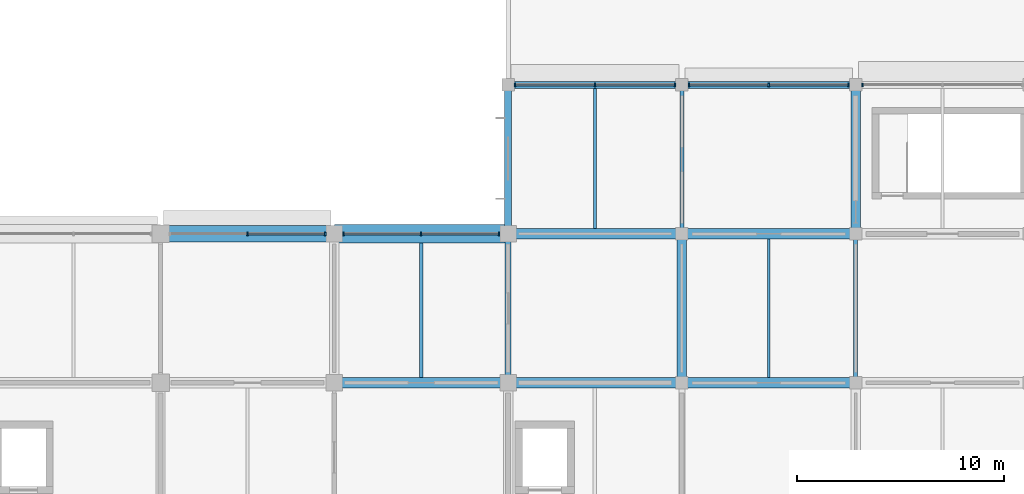
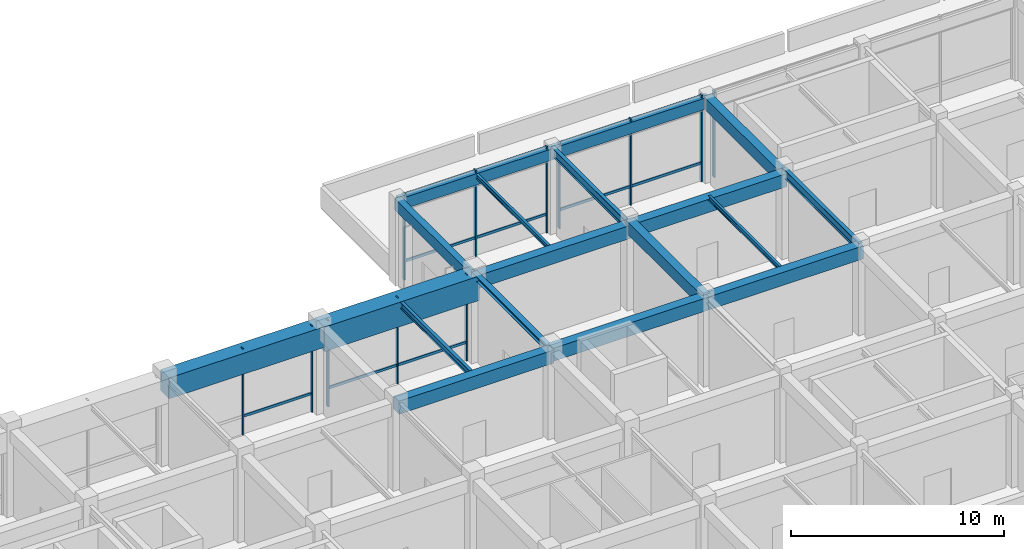
# One storey, part 18 of 38: 19 members, 18 beams, 5 elements without a shape of their own.
"""IFC4 building model written with IfcOpenShell, lengths in metres."""

from ifc_helpers import new_model, si_unit, derived_unit, direction, frame, origin, origin_2d, place, context, subcontext, project, spatial, rectangle, i_section, extrude, material, material_profile, profile_set, type_object, element, aggregate, save


model = new_model("IFC4")

# Units and contexts
model_context = context("Model", 3, precision=1e-05, world=origin(), true_north=direction((0.0, 1.0)))
body_context = subcontext(model_context, "Body", "Model", "MODEL_VIEW")
ifc_project = project(units=[si_unit("LENGTHUNIT", "METRE"), si_unit("AREAUNIT", "SQUARE_METRE"), si_unit("VOLUMEUNIT", "CUBIC_METRE"), si_unit("PLANEANGLEUNIT", "RADIAN"), si_unit("MASSUNIT", "GRAM", prefix="KILO"), derived_unit("THERMALTRANSMITTANCEUNIT", [(si_unit("MASSUNIT", "GRAM", prefix="KILO"), 1), (si_unit("TIMEUNIT", "SECOND"), -3), (si_unit("THERMODYNAMICTEMPERATUREUNIT", "KELVIN"), -1)])], contexts=[model_context])

# Site, building, storey
site_placement = place(None, origin())
site = spatial("IfcSite", under=ifc_project, at=site_placement, CompositionType="ELEMENT")
building_placement = place(site_placement, origin())
building = spatial("IfcBuilding", under=site, at=building_placement, Name="Veldstrom Oceanarium and Marine Research Institute", CompositionType="ELEMENT")
storey_placement = place(building_placement, frame((0.0, 0.0, 16.800048828125)))
storey = spatial("IfcBuildingStorey", under=building, at=storey_placement, Name="L03", CompositionType="ELEMENT", Elevation=16.800048828125)

# Curtain wall, members
ifc_material_1 = material(Name="Anodised Aluminium Framing", Category="aluminium")
curtain_wall_type = type_object("IfcCurtainWallType", Name="ARC-CW-CW02", PredefinedType="USERDEFINED", material=ifc_material_1)
curtain_wall_1_placement = place(storey_placement, origin())
curtain_wall_1 = element("IfcCurtainWall", 1, at=curtain_wall_1_placement, inside=storey, type_object=curtain_wall_type, Name="Curtain Wall CW02 CW-L03-069", ObjectType="Curtain wall", PredefinedType="USERDEFINED")
ifc_material_2 = material(Name="Anodised Aluminium Framing", Category="aluminium")
ifc_material_profile_1 = material_profile(ifc_material_2, rectangle(XDim=0.074951171875, YDim=0.179931640625, at=origin_2d()), Name="ALU-MUL-75x180")
ifc_profile_set_1 = profile_set([ifc_material_profile_1], Name="Anodised Aluminium Framing")
member_type_1 = type_object("IfcMemberType", Name="ARC-MUL-ML1", PredefinedType="MULLION", material=ifc_profile_set_1)
member_1_placement = place(storey_placement, frame((105.012451171875, 72.0, 0.0), z_axis=(0.0, 0.0, 1.0), x_axis=(1.0, 0.0, 0.0)))
member_1 = element("IfcMember", 2, at=member_1_placement, type_object=member_type_1, Name="Curtain Wall Mullion CW-L03-069-MUL-2", PredefinedType="MULLION", context=body_context, shape_type="SweptSolid", body=[
    extrude(rectangle(XDim=0.074951171875, YDim=0.179931640625, at=origin_2d()), origin(), (0.0, 0.0, 1.0), 4.949951171875),
])
member_2_placement = place(storey_placement, frame((108.760009765625, 72.0, 0.0), z_axis=(0.0, 0.0, 1.0), x_axis=(1.0, 0.0, 0.0)))
member_2 = element("IfcMember", 3, at=member_2_placement, type_object=member_type_1, Name="Curtain Wall Mullion CW-L03-069-MUL-3", PredefinedType="MULLION", context=body_context, shape_type="SweptSolid", body=[
    extrude(rectangle(XDim=0.074951171875, YDim=0.179931640625, at=origin_2d()), origin(), (0.0, 0.0, 1.0), 4.949951171875),
])

curtain_wall_2_placement = place(storey_placement, origin())
curtain_wall_2 = element("IfcCurtainWall", 4, at=curtain_wall_2_placement, inside=storey, type_object=curtain_wall_type, Name="Curtain Wall CW02 CW-L03-071", ObjectType="Curtain wall", PredefinedType="USERDEFINED")
member_3_placement = place(storey_placement, frame((109.639892578125, 72.0, 0.0), z_axis=(0.0, 0.0, 1.0), x_axis=(1.0, 0.0, 0.0)))
member_3 = element("IfcMember", 5, at=member_3_placement, type_object=member_type_1, Name="Curtain Wall Mullion CW-L03-071-MUL-1", PredefinedType="MULLION", context=body_context, shape_type="SweptSolid", body=[
    extrude(rectangle(XDim=0.074951171875, YDim=0.179931640625, at=origin_2d()), origin(), (0.0, 0.0, 1.0), 4.949951171875),
])
member_4_placement = place(storey_placement, frame((113.39990234375, 72.0, 0.0), z_axis=(0.0, 0.0, 1.0), x_axis=(1.0, 0.0, 0.0)))
member_4 = element("IfcMember", 6, at=member_4_placement, type_object=member_type_1, Name="Curtain Wall Mullion CW-L03-071-MUL-2", PredefinedType="MULLION", context=body_context, shape_type="SweptSolid", body=[
    extrude(rectangle(XDim=0.074951171875, YDim=0.179931640625, at=origin_2d()), origin(), (0.0, 0.0, 1.0), 4.949951171875),
])
member_5_placement = place(storey_placement, frame((117.159912109375, 72.0, 0.0), z_axis=(0.0, 0.0, 1.0), x_axis=(1.0, 0.0, 0.0)))
member_5 = element("IfcMember", 7, at=member_5_placement, type_object=member_type_1, Name="Curtain Wall Mullion CW-L03-071-MUL-3", PredefinedType="MULLION", context=body_context, shape_type="SweptSolid", body=[
    extrude(rectangle(XDim=0.074951171875, YDim=0.179931640625, at=origin_2d()), origin(), (0.0, 0.0, 1.0), 4.949951171875),
])

curtain_wall_3_placement = place(storey_placement, origin())
curtain_wall_3 = element("IfcCurtainWall", 8, at=curtain_wall_3_placement, inside=storey, type_object=curtain_wall_type, Name="Curtain Wall CW02 CW-L03-072", ObjectType="Curtain wall", PredefinedType="USERDEFINED")
member_6_placement = place(storey_placement, frame((117.93994140625, 79.199951171875, 0.0), z_axis=(0.0, 0.0, 1.0), x_axis=(1.0, 0.0, 0.0)))
member_6 = element("IfcMember", 9, at=member_6_placement, type_object=member_type_1, Name="Curtain Wall Mullion CW-L03-072-MUL-1", PredefinedType="MULLION", context=body_context, shape_type="SweptSolid", body=[
    extrude(rectangle(XDim=0.074951171875, YDim=0.179931640625, at=origin_2d()), origin(), (0.0, 0.0, 1.0), 4.949951171875),
])
member_7_placement = place(storey_placement, frame((121.800048828125, 79.199951171875, 0.0), z_axis=(0.0, 0.0, 1.0), x_axis=(1.0, 0.0, 0.0)))
member_7 = element("IfcMember", 10, at=member_7_placement, type_object=member_type_1, Name="Curtain Wall Mullion CW-L03-072-MUL-2", PredefinedType="MULLION", context=body_context, shape_type="SweptSolid", body=[
    extrude(rectangle(XDim=0.074951171875, YDim=0.179931640625, at=origin_2d()), origin(), (0.0, 0.0, 1.0), 4.949951171875),
])
member_8_placement = place(storey_placement, frame((125.659912109375, 79.199951171875, 0.0), z_axis=(0.0, 0.0, 1.0), x_axis=(1.0, 0.0, 0.0)))
member_8 = element("IfcMember", 11, at=member_8_placement, type_object=member_type_1, Name="Curtain Wall Mullion CW-L03-072-MUL-3", PredefinedType="MULLION", context=body_context, shape_type="SweptSolid", body=[
    extrude(rectangle(XDim=0.074951171875, YDim=0.179931640625, at=origin_2d()), origin(), (0.0, 0.0, 1.0), 4.949951171875),
])

curtain_wall_4_placement = place(storey_placement, origin())
curtain_wall_4 = element("IfcCurtainWall", 12, at=curtain_wall_4_placement, inside=storey, type_object=curtain_wall_type, Name="Curtain Wall CW02 CW-L03-073", ObjectType="Curtain wall", PredefinedType="USERDEFINED")
member_9_placement = place(storey_placement, frame((126.340087890625, 79.199951171875, 0.0), z_axis=(0.0, 0.0, 1.0), x_axis=(1.0, 0.0, 0.0)))
member_9 = element("IfcMember", 13, at=member_9_placement, type_object=member_type_1, Name="Curtain Wall Mullion CW-L03-073-MUL-1", PredefinedType="MULLION", context=body_context, shape_type="SweptSolid", body=[
    extrude(rectangle(XDim=0.074951171875, YDim=0.179931640625, at=origin_2d()), origin(), (0.0, 0.0, 1.0), 4.949951171875),
])
member_10_placement = place(storey_placement, frame((130.199951171875, 79.199951171875, 0.0), z_axis=(0.0, 0.0, 1.0), x_axis=(1.0, 0.0, 0.0)))
member_10 = element("IfcMember", 14, at=member_10_placement, type_object=member_type_1, Name="Curtain Wall Mullion CW-L03-073-MUL-2", PredefinedType="MULLION", context=body_context, shape_type="SweptSolid", body=[
    extrude(rectangle(XDim=0.074951171875, YDim=0.179931640625, at=origin_2d()), origin(), (0.0, 0.0, 1.0), 4.949951171875),
])
member_11_placement = place(storey_placement, frame((134.06005859375, 79.199951171875, 0.0), z_axis=(0.0, 0.0, 1.0), x_axis=(1.0, 0.0, 0.0)))
member_11 = element("IfcMember", 15, at=member_11_placement, type_object=member_type_1, Name="Curtain Wall Mullion CW-L03-073-MUL-3", PredefinedType="MULLION", context=body_context, shape_type="SweptSolid", body=[
    extrude(rectangle(XDim=0.074951171875, YDim=0.179931640625, at=origin_2d()), origin(), (0.0, 0.0, 1.0), 4.949951171875),
])

# Curtain wall, member
curtain_wall_5_placement = place(storey_placement, origin())
curtain_wall_5 = element("IfcCurtainWall", 16, at=curtain_wall_5_placement, inside=storey, type_object=curtain_wall_type, Name="Curtain Wall CW02 CW-L03-074", ObjectType="Curtain wall", PredefinedType="USERDEFINED")
member_12_placement = place(storey_placement, frame((134.739990234375, 79.199951171875, 0.0), z_axis=(0.0, 0.0, 1.0), x_axis=(1.0, 0.0, 0.0)))
member_12 = element("IfcMember", 17, at=member_12_placement, type_object=member_type_1, Name="Curtain Wall Mullion CW-L03-074-MUL-1", PredefinedType="MULLION", context=body_context, shape_type="SweptSolid", body=[
    extrude(rectangle(XDim=0.074951171875, YDim=0.179931640625, at=origin_2d()), origin(), (0.0, 0.0, 1.0), 4.949951171875),
])
aggregate(curtain_wall_5, [member_12])

# Member
ifc_material_3 = material(Name="Anodised Aluminium Framing", Category="aluminium")
ifc_material_profile_2 = material_profile(ifc_material_3, rectangle(XDim=0.074951171875, YDim=0.14990234375, at=origin_2d()), Name="ALU-TRN-75x150")
ifc_profile_set_2 = profile_set([ifc_material_profile_2], Name="Anodised Aluminium Framing")
member_type_2 = type_object("IfcMemberType", Name="ARC-TRN-TR1", PredefinedType="USERDEFINED", material=ifc_profile_set_2)
member_13_placement = place(storey_placement, frame((105.052490234375, 72.0, 1.050048828125), z_axis=(1.0, 0.0, 0.0), x_axis=(0.0, 1.0, 0.0)))
member_13 = element("IfcMember", 18, at=member_13_placement, type_object=member_type_2, Name="Curtain Wall Transom CW-L03-069-TRN-2", ObjectType="Transom", PredefinedType="USERDEFINED", context=body_context, shape_type="SweptSolid", body=[
    extrude(rectangle(XDim=0.074951171875, YDim=0.14990234375, at=origin_2d()), origin(), (0.0, 0.0, 1.0), 3.66748046875),
])

aggregate(curtain_wall_1, [member_1, member_2, member_13])

member_14_placement = place(storey_placement, frame((109.679931640625, 72.0, 1.050048828125), z_axis=(1.0, 0.0, 0.0), x_axis=(0.0, 1.0, 0.0)))
member_14 = element("IfcMember", 19, at=member_14_placement, type_object=member_type_2, Name="Curtain Wall Transom CW-L03-071-TRN-1", ObjectType="Transom", PredefinedType="USERDEFINED", context=body_context, shape_type="SweptSolid", body=[
    extrude(rectangle(XDim=0.074951171875, YDim=0.14990234375, at=origin_2d()), origin(), (0.0, 0.0, 1.0), 3.68017578125),
])

member_15_placement = place(storey_placement, frame((113.43994140625, 72.0, 1.050048828125), z_axis=(1.0, 0.0, 0.0), x_axis=(0.0, 1.0, 0.0)))
member_15 = element("IfcMember", 20, at=member_15_placement, type_object=member_type_2, Name="Curtain Wall Transom CW-L03-071-TRN-2", ObjectType="Transom", PredefinedType="USERDEFINED", context=body_context, shape_type="SweptSolid", body=[
    extrude(rectangle(XDim=0.074951171875, YDim=0.14990234375, at=origin_2d()), origin(), (0.0, 0.0, 1.0), 3.68017578125),
])

aggregate(curtain_wall_2, [member_3, member_4, member_5, member_14, member_15])

member_16_placement = place(storey_placement, frame((117.97998046875, 79.199951171875, 1.050048828125), z_axis=(1.0, 0.0, 0.0), x_axis=(0.0, 1.0, 0.0)))
member_16 = element("IfcMember", 21, at=member_16_placement, type_object=member_type_2, Name="Curtain Wall Transom CW-L03-072-TRN-1", ObjectType="Transom", PredefinedType="USERDEFINED", context=body_context, shape_type="SweptSolid", body=[
    extrude(rectangle(XDim=0.074951171875, YDim=0.14990234375, at=origin_2d()), origin(), (0.0, 0.0, 1.0), 3.780029296875),
])

member_17_placement = place(storey_placement, frame((121.840087890625, 79.199951171875, 1.050048828125), z_axis=(1.0, 0.0, 0.0), x_axis=(0.0, 1.0, 0.0)))
member_17 = element("IfcMember", 22, at=member_17_placement, type_object=member_type_2, Name="Curtain Wall Transom CW-L03-072-TRN-2", ObjectType="Transom", PredefinedType="USERDEFINED", context=body_context, shape_type="SweptSolid", body=[
    extrude(rectangle(XDim=0.074951171875, YDim=0.14990234375, at=origin_2d()), origin(), (0.0, 0.0, 1.0), 3.780029296875),
])

aggregate(curtain_wall_3, [member_6, member_7, member_8, member_16, member_17])

member_18_placement = place(storey_placement, frame((126.3798828125, 79.199951171875, 1.050048828125), z_axis=(1.0, 0.0, 0.0), x_axis=(0.0, 1.0, 0.0)))
member_18 = element("IfcMember", 23, at=member_18_placement, type_object=member_type_2, Name="Curtain Wall Transom CW-L03-073-TRN-1", ObjectType="Transom", PredefinedType="USERDEFINED", context=body_context, shape_type="SweptSolid", body=[
    extrude(rectangle(XDim=0.074951171875, YDim=0.14990234375, at=origin_2d()), origin(), (0.0, 0.0, 1.0), 3.780029296875),
])

member_19_placement = place(storey_placement, frame((130.239990234375, 79.199951171875, 1.050048828125), z_axis=(1.0, 0.0, 0.0), x_axis=(0.0, 1.0, 0.0)))
member_19 = element("IfcMember", 24, at=member_19_placement, type_object=member_type_2, Name="Curtain Wall Transom CW-L03-073-TRN-2", ObjectType="Transom", PredefinedType="USERDEFINED", context=body_context, shape_type="SweptSolid", body=[
    extrude(rectangle(XDim=0.074951171875, YDim=0.14990234375, at=origin_2d()), origin(), (0.0, 0.0, 1.0), 3.780029296875),
])

aggregate(curtain_wall_4, [member_9, member_10, member_11, member_18, member_19])

# Beams
ifc_material_4 = material(Name="Concrete C40/50", Category="concrete")
ifc_material_profile_3 = material_profile(ifc_material_4, rectangle(XDim=0.5, YDim=0.75, at=origin_2d()), Name="RC-BM-500x750")
ifc_profile_set_3 = profile_set([ifc_material_profile_3], Name="Concrete C40/50")
beam_type_1 = type_object("IfcBeamType", Name="STR-BM-B03", PredefinedType="BEAM", material=ifc_profile_set_3)
beam_1_placement = place(storey_placement, frame((109.199951171875, 64.800048828125, 4.570068359375), z_axis=(1.0, 0.0, 0.0), x_axis=(0.0, 1.0, 0.0)))
element("IfcBeam", 25, at=beam_1_placement, inside=storey, type_object=beam_type_1, Name="Primary Beam B03 L03-1922", PredefinedType="BEAM", context=body_context, shape_type="SweptSolid", body=[
    extrude(rectangle(XDim=0.5, YDim=0.75, at=origin_2d()), origin(), (0.0, 0.0, 1.0), 8.400146484375),
])
for number, where, z_axis, x_axis, name in (
    (26, (117.60009765625, 64.800048828125, 4.669921875), (1.0, 0.0, 0.0), (0.0, 1.0, 0.0), "Primary Beam B03 L03-1927"),
    (27, (117.60009765625, 72.0, 4.445068359375), (1.0, 0.0, 0.0), (0.0, 1.0, 0.0), "Primary Beam B03 L03-1928"),
    (28, (126.0, 64.800048828125, 4.669921875), (1.0, 0.0, 0.0), (0.0, 1.0, 0.0), "Primary Beam B03 L03-1933"),
    (29, (126.0, 72.0, 4.445068359375), (1.0, 0.0, 0.0), (0.0, 1.0, 0.0), "Primary Beam B03 L03-1934"),
):
    element("IfcBeam", number, at=place(storey_placement, frame(where, z_axis=z_axis, x_axis=x_axis)), inside=storey, type_object=beam_type_1, Name=name, PredefinedType="BEAM", context=body_context, shape_type="SweptSolid", body=[
        extrude(rectangle(XDim=0.5, YDim=0.75, at=origin_2d()), origin(), (0.0, 0.0, 1.0), 8.39990234375),
    ])
ifc_material_5 = material(Name="Concrete C40/50", Category="concrete")
ifc_material_profile_4 = material_profile(ifc_material_5, rectangle(XDim=0.449951171875, YDim=0.699951171875, at=origin_2d()), Name="RC-BM-450x700")
ifc_profile_set_4 = profile_set([ifc_material_profile_4], Name="Concrete C40/50")
beam_type_2 = type_object("IfcBeamType", Name="STR-BM-B04", PredefinedType="BEAM", material=ifc_profile_set_4)
for number, where, z_axis, x_axis, name in (
    (30, (126.0, 64.800048828125, 4.695068359375), (0.0, 1.0, 0.0), (-1.0, 0.0, 0.0), "Primary Beam B04 L03-2036"),
    (31, (134.39990234375, 72.0, 4.469970703125), (0.0, 1.0, 0.0), (-1.0, 0.0, 0.0), "Primary Beam B04 L03-2042"),
):
    element("IfcBeam", number, at=place(storey_placement, frame(where, z_axis=z_axis, x_axis=x_axis)), inside=storey, type_object=beam_type_2, Name=name, PredefinedType="BEAM", context=body_context, shape_type="SweptSolid", body=[
        extrude(rectangle(XDim=0.449951171875, YDim=0.699951171875, at=origin_2d()), origin(), (0.0, 0.0, 1.0), 7.199951171875),
    ])
ifc_material_6 = material(Name="Steel S355JR", Category="steel")
ifc_material_profile_5 = material_profile(ifc_material_6, i_section(OverallWidth=0.300048828125, OverallDepth=0.2900390625, WebThickness=0.008544921875, FlangeThickness=0.013916015625, FilletRadius=0.027099609375, at=origin_2d()), Name="HEA 300")
ifc_profile_set_5 = profile_set([ifc_material_profile_5], Name="Steel S355JR")
beam_type_3 = type_object("IfcBeamType", Name="STR-BM-SB10", PredefinedType="BEAM", material=ifc_profile_set_5)
beam_2_placement = place(storey_placement, frame((117.60009765625, 64.800048828125, 4.800048828125), z_axis=(0.0, 1.0, 0.0), x_axis=(-1.0, 0.0, 0.0)))
element("IfcBeam", 32, at=beam_2_placement, inside=storey, type_object=beam_type_3, Name="Steel Tie Beam SB10 L03-2031", PredefinedType="BEAM", context=body_context, shape_type="SweptSolid", body=[
    extrude(i_section(OverallWidth=0.300048828125, OverallDepth=0.2900390625, WebThickness=0.008544921875, FlangeThickness=0.013916015625, FilletRadius=0.027099609375, at=origin_2d()), origin(), (0.0, 0.0, 1.0), 7.199951171875),
])
ifc_material_7 = material(Name="Steel S355JR", Category="steel")
ifc_material_profile_6 = material_profile(ifc_material_7, i_section(OverallWidth=0.199951171875, OverallDepth=0.5, WebThickness=0.01025390625, FlangeThickness=0.01611328125, FilletRadius=0.02099609375, at=origin_2d()), Name="IPE 500")
ifc_profile_set_6 = profile_set([ifc_material_profile_6], Name="Steel S355JR")
beam_type_4 = type_object("IfcBeamType", Name="STR-BM-SB6", PredefinedType="BEAM", material=ifc_profile_set_6)
for number, where, z_axis, x_axis, name in (
    (33, (126.0, 72.0, 4.570068359375), (0.0, 1.0, 0.0), (-1.0, 0.0, 0.0), "Steel Tie Beam SB6 L03-2037"),
    (34, (134.39990234375, 64.800048828125, 4.794921875), (0.0, 1.0, 0.0), (-1.0, 0.0, 0.0), "Steel Tie Beam SB6 L03-2041"),
):
    element("IfcBeam", number, at=place(storey_placement, frame(where, z_axis=z_axis, x_axis=x_axis)), inside=storey, type_object=beam_type_4, Name=name, PredefinedType="BEAM", context=body_context, shape_type="SweptSolid", body=[
        extrude(i_section(OverallWidth=0.199951171875, OverallDepth=0.5, WebThickness=0.01025390625, FlangeThickness=0.01611328125, FilletRadius=0.02099609375, at=origin_2d()), origin(), (0.0, 0.0, 1.0), 7.199951171875),
    ])
ifc_material_8 = material(Name="Steel S355JR", Category="steel")
ifc_material_profile_7 = material_profile(ifc_material_8, i_section(OverallWidth=0.169921875, OverallDepth=0.360107421875, WebThickness=0.008056640625, FlangeThickness=0.0126953125, FilletRadius=0.01806640625, at=origin_2d()), Name="IPE 360")
ifc_profile_set_7 = profile_set([ifc_material_profile_7], Name="Steel S355JR")
beam_type_5 = type_object("IfcBeamType", Name="STR-JST-SJ1", PredefinedType="JOIST", material=ifc_profile_set_7)
beam_3_placement = place(storey_placement, frame((113.39990234375, 65.050048828125, 4.764892578125), z_axis=(0.0, 1.0, 0.0), x_axis=(-1.0, 0.0, 0.0)))
element("IfcBeam", 35, at=beam_3_placement, inside=storey, type_object=beam_type_5, Name="Secondary Joist SJ1 L03-2084", PredefinedType="JOIST", context=body_context, shape_type="SweptSolid", body=[
    extrude(i_section(OverallWidth=0.169921875, OverallDepth=0.360107421875, WebThickness=0.008056640625, FlangeThickness=0.0126953125, FilletRadius=0.01806640625, at=origin_2d()), origin(), (0.0, 0.0, 1.0), 6.5),
])
ifc_material_9 = material(Name="Steel S355JR", Category="steel")
ifc_material_profile_8 = material_profile(ifc_material_9, i_section(OverallWidth=0.135009765625, OverallDepth=0.27001953125, WebThickness=0.006591796875, FlangeThickness=0.01025390625, FilletRadius=0.014892578125, at=origin_2d()), Name="IPE 270")
ifc_profile_set_8 = profile_set([ifc_material_profile_8], Name="Steel S355JR")
beam_type_6 = type_object("IfcBeamType", Name="STR-JST-SJ3", PredefinedType="JOIST", material=ifc_profile_set_8)
beam_4_placement = place(storey_placement, frame((121.800048828125, 72.25, 4.68505859375), z_axis=(0.0, 1.0, 0.0), x_axis=(-1.0, 0.0, 0.0)))
element("IfcBeam", 36, at=beam_4_placement, inside=storey, type_object=beam_type_6, Name="Secondary Joist SJ3 L03-2087", PredefinedType="JOIST", context=body_context, shape_type="SweptSolid", body=[
    extrude(i_section(OverallWidth=0.135009765625, OverallDepth=0.27001953125, WebThickness=0.006591796875, FlangeThickness=0.01025390625, FilletRadius=0.014892578125, at=origin_2d()), origin(), (0.0, 0.0, 1.0), 6.77490234375),
])
beam_5_placement = place(storey_placement, frame((130.199951171875, 65.050048828125, 4.909912109375), z_axis=(0.0, 1.0, 0.0), x_axis=(-1.0, 0.0, 0.0)))
element("IfcBeam", 37, at=beam_5_placement, inside=storey, type_object=beam_type_6, Name="Secondary Joist SJ3 L03-2089", PredefinedType="JOIST", context=body_context, shape_type="SweptSolid", body=[
    extrude(i_section(OverallWidth=0.135009765625, OverallDepth=0.27001953125, WebThickness=0.006591796875, FlangeThickness=0.01025390625, FilletRadius=0.014892578125, at=origin_2d()), origin(), (0.0, 0.0, 1.0), 6.699951171875),
])
ifc_material_10 = material(Name="Concrete C40/50", Category="concrete")
ifc_material_profile_9 = material_profile(ifc_material_10, rectangle(XDim=0.35009765625, YDim=0.64990234375, at=origin_2d()), Name="RC-SPN-350x650")
ifc_profile_set_9 = profile_set([ifc_material_profile_9], Name="Concrete C40/50")
beam_type_7 = type_object("IfcBeamType", Name="STR-SPN-SP1", PredefinedType="SPANDREL", material=ifc_profile_set_9)
for number, where, z_axis, x_axis, name in (
    (38, (117.60009765625, 79.199951171875, 4.494873046875), (1.0, 0.0, 0.0), (0.0, 1.0, 0.0), "Perimeter Spandrel SPB1 L03-1929"),
    (39, (126.0, 79.199951171875, 4.494873046875), (1.0, 0.0, 0.0), (0.0, 1.0, 0.0), "Perimeter Spandrel SPB1 L03-1935"),
):
    element("IfcBeam", number, at=place(storey_placement, frame(where, z_axis=z_axis, x_axis=x_axis)), inside=storey, type_object=beam_type_7, Name=name, PredefinedType="SPANDREL", context=body_context, shape_type="SweptSolid", body=[
        extrude(rectangle(XDim=0.35009765625, YDim=0.64990234375, at=origin_2d()), origin(), (0.0, 0.0, 1.0), 8.39990234375),
    ])
beam_6_placement = place(storey_placement, frame((117.60009765625, 72.0, 4.494873046875), z_axis=(0.0, 1.0, 0.0), x_axis=(-1.0, 0.0, 0.0)))
element("IfcBeam", 40, at=beam_6_placement, inside=storey, type_object=beam_type_7, Name="Perimeter Spandrel SPB1 L03-2032", PredefinedType="SPANDREL", context=body_context, shape_type="SweptSolid", body=[
    extrude(rectangle(XDim=0.35009765625, YDim=0.64990234375, at=origin_2d()), origin(), (0.0, 0.0, 1.0), 7.199951171875),
])
ifc_material_11 = material(Name="Concrete C50/60", Category="concrete")
ifc_material_profile_10 = material_profile(ifc_material_11, rectangle(XDim=0.800048828125, YDim=1.199951171875, at=origin_2d()), Name="RC-TG-800x1200")
ifc_profile_set_10 = profile_set([ifc_material_profile_10], Name="Concrete C50/60")
beam_type_8 = type_object("IfcBeamType", Name="STR-TG-TG1", PredefinedType="BEAM", material=ifc_profile_set_10)
beam_7_placement = place(storey_placement, frame((100.800048828125, 72.0, 4.344970703125), z_axis=(1.0, 0.0, 0.0), x_axis=(0.0, 1.0, 0.0)))
element("IfcBeam", 41, at=beam_7_placement, inside=storey, type_object=beam_type_8, Name="Transfer Girder TG1 L03-1918", PredefinedType="BEAM", context=body_context, shape_type="SweptSolid", body=[
    extrude(rectangle(XDim=0.800048828125, YDim=1.199951171875, at=origin_2d()), origin(), (0.0, 0.0, 1.0), 8.39990234375),
])
ifc_material_12 = material(Name="Concrete C50/60", Category="concrete")
ifc_material_profile_11 = material_profile(ifc_material_12, rectangle(XDim=0.89990234375, YDim=1.39990234375, at=origin_2d()), Name="RC-TG-900x1400")
ifc_profile_set_11 = profile_set([ifc_material_profile_11], Name="Concrete C50/60")
beam_type_9 = type_object("IfcBeamType", Name="STR-TG-TG2", PredefinedType="BEAM", material=ifc_profile_set_11)
beam_8_placement = place(storey_placement, frame((109.199951171875, 72.0, 4.244873046875), z_axis=(1.0, 0.0, 0.0), x_axis=(0.0, 1.0, 0.0)))
element("IfcBeam", 42, at=beam_8_placement, inside=storey, type_object=beam_type_9, Name="Transfer Girder TG2 L03-1923", PredefinedType="BEAM", context=body_context, shape_type="SweptSolid", body=[
    extrude(rectangle(XDim=0.89990234375, YDim=1.39990234375, at=origin_2d()), origin(), (0.0, 0.0, 1.0), 8.400146484375),
])

save(model, "model.ifc")
